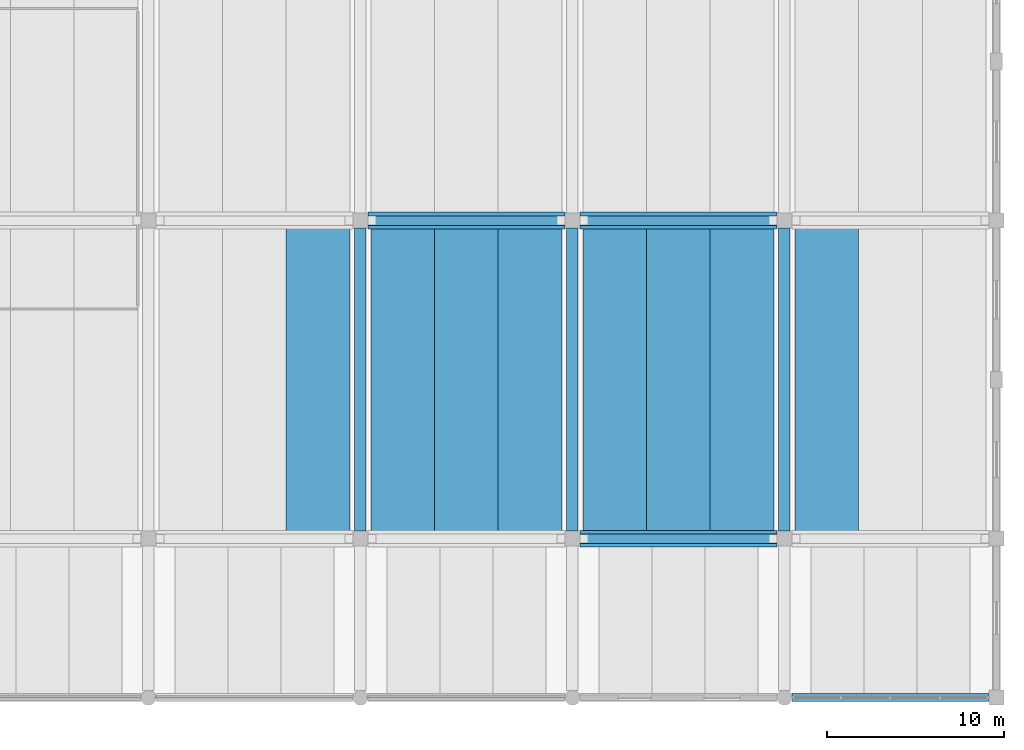
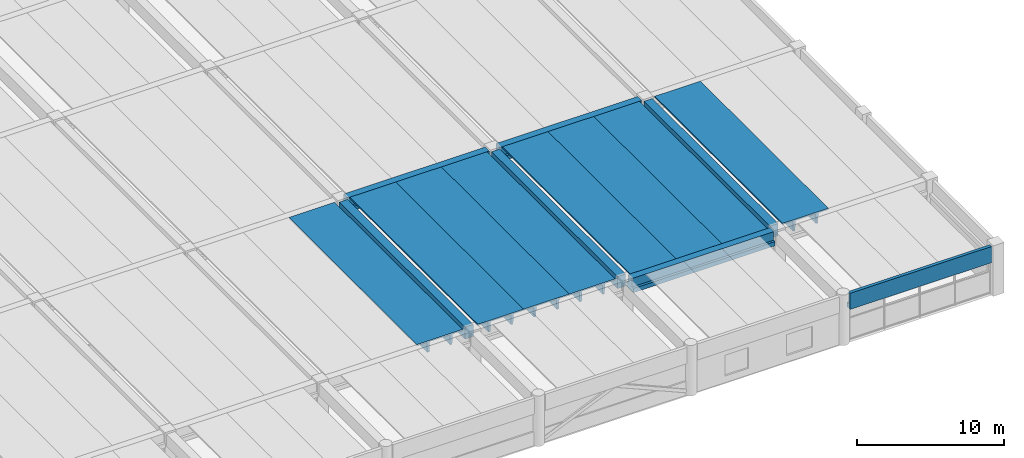
# One storey, part 24 of 50: 15 beams.
"""IFC4 building model written with IfcOpenShell, lengths in metres."""

from ifc_helpers import new_model, si_unit, direction, frame, origin, origin_2d, place, context, subcontext, project, spatial, polyline, rectangle, outline, extrude, material, material_profile, profile_set, type_object, element, save


model = new_model("IFC4")

# Units and contexts
model_context = context("Model", 3, precision=1e-05, world=origin(), true_north=direction((0.0, 1.0)))
body_context = subcontext(model_context, "Body", "Model", "MODEL_VIEW")
ifc_project = project(units=[si_unit("LENGTHUNIT", "METRE"), si_unit("AREAUNIT", "SQUARE_METRE"), si_unit("VOLUMEUNIT", "CUBIC_METRE"), si_unit("PLANEANGLEUNIT", "RADIAN"), si_unit("MASSUNIT", "GRAM", prefix="KILO")], contexts=[model_context])

# Site, building, storey
site_placement = place(None, origin())
site = spatial("IfcSite", under=ifc_project, at=site_placement, CompositionType="ELEMENT")
building_placement = place(site_placement, origin())
building = spatial("IfcBuilding", under=site, at=building_placement, Name="Girod Span Mobility Hub", CompositionType="ELEMENT")
storey_placement = place(building_placement, frame((0.0, 0.0, 5.39990234375)))
storey = spatial("IfcBuildingStorey", under=building, at=storey_placement, Name="L01", CompositionType="ELEMENT", Elevation=5.39990234375)

# Beams
ifc_material_1 = material(Name="Concrete C50/60", Category="concrete")
ifc_material_profile_1 = material_profile(ifc_material_1, outline(polyline([(-1.800048828125, 0.47509765625), (-1.800048828125, 0.364990234375), (-1.010009765625, 0.364990234375), (-0.97509765625, -0.47509765625), (-0.824951171875, -0.47509765625), (-0.7900390625, 0.364990234375), (0.7900390625, 0.364990234375), (0.824951171875, -0.47509765625), (0.97509765625, -0.47509765625), (1.010009765625, 0.364990234375), (1.800048828125, 0.364990234375), (1.800048828125, 0.47509765625), (-1.800048828125, 0.47509765625)])), Name="DT-3600X950")
ifc_profile_set_1 = profile_set([ifc_material_profile_1], Name="Concrete C50/60")
beam_type_1 = type_object("IfcBeamType", Name="BM-DT-3600X950", PredefinedType="JOIST", material=ifc_profile_set_1)
for number, where, z_axis, x_axis, name in (
    (1, (129.60009765625, 9.27197265625, 3.565185546875), (0.0, 1.0, 0.0), (-1.0, 0.0, 0.0), "Double-Tee Deck 11/B-3 L01"),
    (2, (134.39990234375, 9.27197265625, 3.565185546875), (0.0, 1.0, 0.0), (-1.0, 0.0, 0.0), "Double-Tee Deck 12/B-1 L01"),
    (3, (138.0, 9.27197265625, 3.565185546875), (0.0, 1.0, 0.0), (-1.0, 0.0, 0.0), "Double-Tee Deck 12/B-2 L01"),
    (4, (141.60009765625, 9.27197265625, 3.565185546875), (0.0, 1.0, 0.0), (-1.0, 0.0, 0.0), "Double-Tee Deck 12/B-3 L01"),
    (5, (146.39990234375, 9.27197265625, 3.565185546875), (0.0, 1.0, 0.0), (-1.0, 0.0, 0.0), "Double-Tee Deck 13/B-1 L01"),
    (6, (150.0, 9.27197265625, 3.565185546875), (0.0, 1.0, 0.0), (-1.0, 0.0, 0.0), "Double-Tee Deck 13/B-2 L01"),
    (7, (153.60009765625, 9.27197265625, 3.565185546875), (0.0, 1.0, 0.0), (-1.0, 0.0, 0.0), "Double-Tee Deck 13/B-3 L01"),
    (8, (158.39990234375, 9.27197265625, 3.565185546875), (0.0, 1.0, 0.0), (-1.0, 0.0, 0.0), "Double-Tee Deck 14/B-1 L01"),
):
    element("IfcBeam", number, at=place(storey_placement, frame(where, z_axis=z_axis, x_axis=x_axis)), inside=storey, type_object=beam_type_1, Name=name, PredefinedType="JOIST", context=body_context, shape_type="SweptSolid", body=[
        extrude(outline(polyline([(-1.800048828125, 0.47509765625), (-1.800048828125, 0.364990234375), (-1.010009765625, 0.364990234375), (-0.97509765625, -0.47509765625), (-0.824951171875, -0.47509765625), (-0.7900390625, 0.364990234375), (0.7900390625, 0.364990234375), (0.824951171875, -0.47509765625), (0.97509765625, -0.47509765625), (1.010009765625, 0.364990234375), (1.800048828125, 0.364990234375), (1.800048828125, 0.47509765625), (-1.800048828125, 0.47509765625)])), origin(), (0.0, 0.0, 1.0), 17.4560546875),
    ])
ifc_material_2 = material(Name="Concrete C50/60", Category="concrete")
ifc_material_profile_2 = material_profile(ifc_material_2, outline(polyline([(-0.47509765625, -0.52490234375), (0.47509765625, -0.52490234375), (0.47509765625, -0.175048828125), (0.27490234375, -0.175048828125), (0.27490234375, 0.52490234375), (-0.27490234375, 0.52490234375), (-0.27490234375, -0.175048828125), (-0.47509765625, -0.175048828125), (-0.47509765625, -0.52490234375)])), Name="IT-950X1050")
ifc_profile_set_2 = profile_set([ifc_material_profile_2], Name="Concrete C50/60")
beam_type_2 = type_object("IfcBeamType", Name="BM-IT-950X1050", PredefinedType="T_BEAM", material=ifc_profile_set_2)
for number, where, z_axis, x_axis, name in (
    (9, (144.422119140625, 9.0, 3.51513671875), (1.0, 0.0, 0.0), (0.0, 1.0, 0.0), "Girder 13-14/B L01"),
    (10, (132.422119140625, 27.0, 3.51513671875), (1.0, 0.0, 0.0), (0.0, 1.0, 0.0), "Girder 12-13/C L01"),
    (11, (144.422119140625, 27.0, 3.51513671875), (1.0, 0.0, 0.0), (0.0, 1.0, 0.0), "Girder 13-14/C L01"),
):
    element("IfcBeam", number, at=place(storey_placement, frame(where, z_axis=z_axis, x_axis=x_axis)), inside=storey, type_object=beam_type_2, Name=name, PredefinedType="T_BEAM", context=body_context, shape_type="SweptSolid", body=[
        extrude(outline(polyline([(-0.47509765625, -0.52490234375), (0.47509765625, -0.52490234375), (0.47509765625, -0.175048828125), (0.27490234375, -0.175048828125), (0.27490234375, 0.52490234375), (-0.27490234375, 0.52490234375), (-0.27490234375, -0.175048828125), (-0.47509765625, -0.175048828125), (-0.47509765625, -0.52490234375)])), origin(), (0.0, 0.0, 1.0), 11.15576171875),
    ])
ifc_material_3 = material(Name="Concrete C40/50", Category="concrete")
ifc_material_profile_3 = material_profile(ifc_material_3, outline(polyline([(-0.22509765625, -0.675048828125), (0.22509765625, -0.675048828125), (0.22509765625, -0.324951171875), (0.02490234375, -0.324951171875), (0.02490234375, 0.675048828125), (-0.22509765625, 0.675048828125), (-0.22509765625, -0.675048828125)])), Name="SP-450X1350")
ifc_profile_set_3 = profile_set([ifc_material_profile_3], Name="Concrete C40/50")
beam_type_3 = type_object("IfcBeamType", Name="BM-SP-450X1350", PredefinedType="SPANDREL", material=ifc_profile_set_3)
beam_placement = place(storey_placement, frame((156.422119140625, 0.0, 3.364990234375), z_axis=(1.0, 0.0, 0.0), x_axis=(0.0, 1.0, 0.0)))
element("IfcBeam", 12, at=beam_placement, inside=storey, type_object=beam_type_3, Name="Girder 14-15/A L01", PredefinedType="SPANDREL", context=body_context, shape_type="SweptSolid", body=[
    extrude(outline(polyline([(-0.22509765625, -0.675048828125), (0.22509765625, -0.675048828125), (0.22509765625, -0.324951171875), (0.02490234375, -0.324951171875), (0.02490234375, 0.675048828125), (-0.22509765625, 0.675048828125), (-0.22509765625, -0.675048828125)])), origin(), (0.0, 0.0, 1.0), 11.15576171875),
])
ifc_material_4 = material(Name="Concrete C40/50", Category="concrete")
ifc_material_profile_4 = material_profile(ifc_material_4, rectangle(XDim=0.64990234375, YDim=1.0, at=origin_2d()), Name="TG-650X1000")
ifc_profile_set_4 = profile_set([ifc_material_profile_4], Name="Concrete C40/50")
beam_type_4 = type_object("IfcBeamType", Name="BM-TG-650X1000", PredefinedType="T_BEAM", material=ifc_profile_set_4)
for number, where, z_axis, x_axis, name in (
    (13, (132.0, 9.422119140625, 3.5400390625), (0.0, 1.0, 0.0), (-1.0, 0.0, 0.0), "Tie Girder 12/B-C L01"),
    (14, (144.0, 9.422119140625, 3.5400390625), (0.0, 1.0, 0.0), (-1.0, 0.0, 0.0), "Tie Girder 13/B-C L01"),
    (15, (156.0, 9.422119140625, 3.5400390625), (0.0, 1.0, 0.0), (-1.0, 0.0, 0.0), "Tie Girder 14/B-C L01"),
):
    element("IfcBeam", number, at=place(storey_placement, frame(where, z_axis=z_axis, x_axis=x_axis)), inside=storey, type_object=beam_type_4, Name=name, PredefinedType="T_BEAM", context=body_context, shape_type="SweptSolid", body=[
        extrude(rectangle(XDim=0.64990234375, YDim=1.0, at=origin_2d()), origin(), (0.0, 0.0, 1.0), 17.15576171875),
    ])

save(model, "model.ifc")
